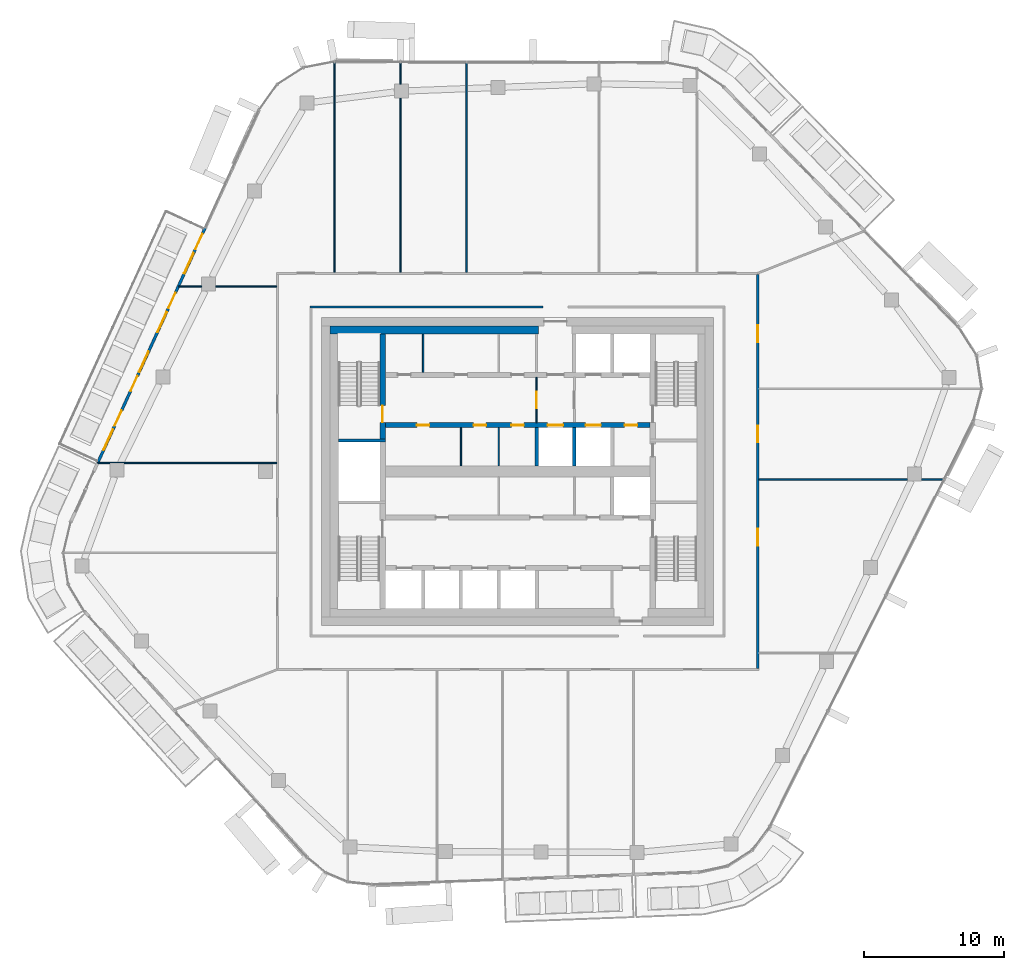
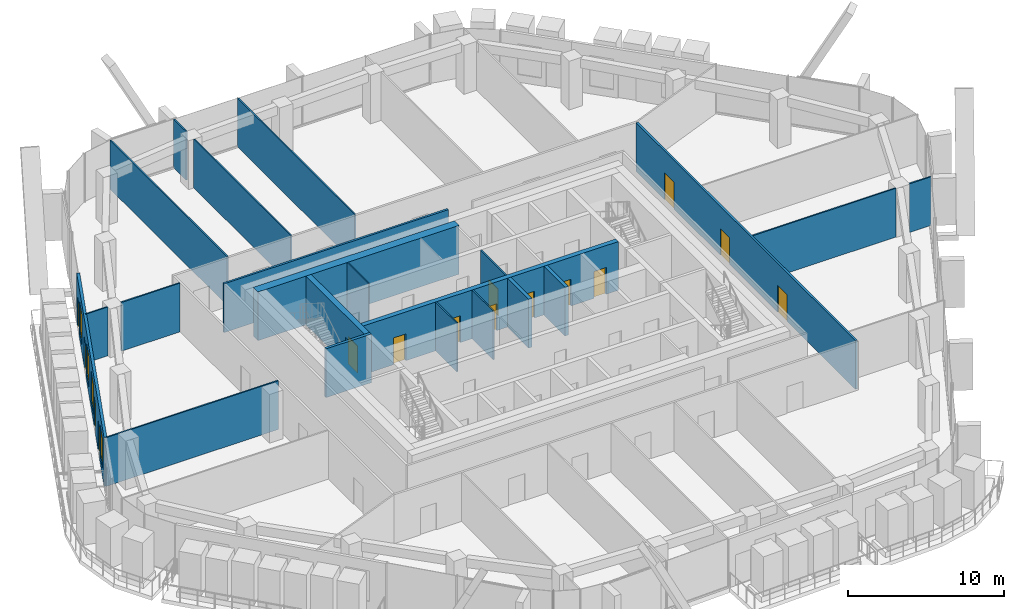
# One storey, part 15 of 24: 22 walls, 15 doors, 4 windows, 19 openings.
"""IFC4 building model written with IfcOpenShell, lengths in metres."""

from ifc_helpers import new_model, si_unit, direction, frame, frame_2d, origin, place, context, subcontext, project, spatial, rectangle, extrude, material, layer, layer_set, type_object, element, fill, save


model = new_model("IFC4")

# Units and contexts
model_context = context("Model", 3, precision=1e-05, world=origin(), true_north=direction((0.0, 1.0)))
body_context = subcontext(model_context, "Body", "Model", "MODEL_VIEW")
ifc_project = project(units=[si_unit("LENGTHUNIT", "METRE"), si_unit("AREAUNIT", "SQUARE_METRE"), si_unit("VOLUMEUNIT", "CUBIC_METRE"), si_unit("PLANEANGLEUNIT", "RADIAN"), si_unit("MASSUNIT", "GRAM", prefix="KILO")], contexts=[model_context])

# Site, building, storey
site_placement = place(None, origin())
site = spatial("IfcSite", under=ifc_project, at=site_placement, CompositionType="ELEMENT")
building_placement = place(site_placement, origin())
building = spatial("IfcBuilding", under=site, at=building_placement, Name="Dongbaek Canopy Tower", CompositionType="ELEMENT")
storey_placement = place(building_placement, frame((0.0, 0.0, 311.0)))
storey = spatial("IfcBuildingStorey", under=building, at=storey_placement, Name="L66", CompositionType="ELEMENT", Elevation=311.0)

# Wall, openings, doors
ifc_material_1 = material(Name="Concrete C60/75", Category="concrete")
ifc_layer_1 = layer(ifc_material_1, 0.35009765625)
ifc_layer_set_1 = layer_set([ifc_layer_1], Name="Core lobby wall 350 Concrete C60/75")
wall_type_1 = type_object("IfcWallType", Name="Core lobby wall 350 Concrete C60/75", PredefinedType="SHEAR", material=ifc_layer_set_1)
wall_1_placement = place(storey_placement, frame((9.449951171875, 3.300048828125, 0.0), z_axis=(0.0, 0.0, 1.0), x_axis=(-1.0, 0.0, 0.0)))
wall_1 = element("IfcWall", 1, at=wall_1_placement, inside=storey, type_object=wall_type_1, Name="Core wall", PredefinedType="SHEAR", context=body_context, shape_type="SweptSolid", body=[
    extrude(rectangle(XDim=18.89990234375, YDim=0.35009765625, at=frame_2d((9.449951171875, 0.0))), origin(), (0.0, 0.0, 1.0), 3.820068359375),
])
opening_1_placement = place(wall_1_placement, frame((6.199951171875, 0.0, 0.0)))
opening_1 = element("IfcOpeningElement", 2, at=opening_1_placement, cuts=wall_1, Name="Opening L66-D024", PredefinedType="OPENING", context=body_context, shape_type="SweptSolid", body=[
    extrude(rectangle(XDim=1.10009765625, YDim=2.10009765625, at=frame_2d((0.550048828125, 1.050048828125))), frame((0.0, 0.18505859375, 0.0), z_axis=(0.0, -1.0, 0.0), x_axis=(1.0, 0.0, 0.0)), (0.0, 0.0, 1.0), 0.3701171875),
])
opening_2_placement = place(wall_1_placement, frame((3.5, 0.0, 0.0)))
opening_2 = element("IfcOpeningElement", 3, at=opening_2_placement, cuts=wall_1, Name="Opening L66-D025", PredefinedType="OPENING", context=body_context, shape_type="SweptSolid", body=[
    extrude(rectangle(XDim=1.10009765625, YDim=2.10009765625, at=frame_2d((0.550048828125, 1.050048828125))), frame((0.0, 0.18505859375, 0.0), z_axis=(0.0, -1.0, 0.0), x_axis=(1.0, 0.0, 0.0)), (0.0, 0.0, 1.0), 0.3701171875),
])
opening_3_placement = place(wall_1_placement, frame((0.89990234375, 0.0, 0.0)))
opening_3 = element("IfcOpeningElement", 4, at=opening_3_placement, cuts=wall_1, Name="Opening L66-D026", PredefinedType="OPENING", context=body_context, shape_type="SweptSolid", body=[
    extrude(rectangle(XDim=0.89990234375, YDim=2.10009765625, at=frame_2d((0.449951171875, 1.050048828125))), frame((0.0, 0.18505859375, 0.0), z_axis=(0.0, -1.0, 0.0), x_axis=(1.0, 0.0, 0.0)), (0.0, 0.0, 1.0), 0.3701171875),
])
opening_4_placement = place(wall_1_placement, frame((15.75, 0.0, 0.0)))
opening_4 = element("IfcOpeningElement", 5, at=opening_4_placement, cuts=wall_1, Name="Opening L66-D037", PredefinedType="OPENING", context=body_context, shape_type="SweptSolid", body=[
    extrude(rectangle(XDim=0.89990234375, YDim=2.10009765625, at=frame_2d((0.449951171875, 1.050048828125))), frame((0.0, 0.18505859375, 0.0), z_axis=(0.0, -1.0, 0.0), x_axis=(1.0, 0.0, 0.0)), (0.0, 0.0, 1.0), 0.3701171875),
])
opening_5_placement = place(wall_1_placement, frame((11.699951171875, 0.0, 0.0)))
opening_5 = element("IfcOpeningElement", 6, at=opening_5_placement, cuts=wall_1, Name="Opening L66-D038", PredefinedType="OPENING", context=body_context, shape_type="SweptSolid", body=[
    extrude(rectangle(XDim=0.89990234375, YDim=2.10009765625, at=frame_2d((0.449951171875, 1.050048828125))), frame((0.0, 0.18505859375, 0.0), z_axis=(0.0, -1.0, 0.0), x_axis=(1.0, 0.0, 0.0)), (0.0, 0.0, 1.0), 0.3701171875),
])
opening_6_placement = place(wall_1_placement, frame((9.0, 0.0, 0.0)))
opening_6 = element("IfcOpeningElement", 7, at=opening_6_placement, cuts=wall_1, Name="Opening L66-D039", PredefinedType="OPENING", context=body_context, shape_type="SweptSolid", body=[
    extrude(rectangle(XDim=0.89990234375, YDim=2.10009765625, at=frame_2d((0.449951171875, 1.050048828125))), frame((0.0, 0.18505859375, 0.0), z_axis=(0.0, -1.0, 0.0), x_axis=(1.0, 0.0, 0.0)), (0.0, 0.0, 1.0), 0.3701171875),
])
ifc_material_2 = material(Name="Steel", Category="steel")
door_type_1 = type_object("IfcDoorType", Name="Core room door 900 x 2100", OperationType="SINGLE_SWING_LEFT", PredefinedType="DOOR", material=ifc_material_2)
door_1_placement = place(opening_3_placement, origin())
door_1 = element("IfcDoor", 8, at=door_1_placement, inside=storey, type_object=door_type_1, Name="Door L66-D026", OperationType="SINGLE_SWING_LEFT", OverallHeight=2.10009765625, OverallWidth=0.89990234375, PredefinedType="DOOR", context=body_context, shape_type="SweptSolid", body=[
    extrude(rectangle(XDim=0.89990234375, YDim=2.10009765625, at=frame_2d((0.449951171875, 1.050048828125))), frame((0.0, 0.02490234375, 0.0), z_axis=(0.0, -1.0, 0.0), x_axis=(1.0, 0.0, 0.0)), (0.0, 0.0, 1.0), 0.050048828125),
])
fill(opening_3, door_1)
door_2_placement = place(opening_4_placement, origin())
door_2 = element("IfcDoor", 9, at=door_2_placement, inside=storey, type_object=door_type_1, Name="Door L66-D037", OperationType="SINGLE_SWING_LEFT", OverallHeight=2.10009765625, OverallWidth=0.89990234375, PredefinedType="DOOR", context=body_context, shape_type="SweptSolid", body=[
    extrude(rectangle(XDim=0.89990234375, YDim=2.10009765625, at=frame_2d((0.449951171875, 1.050048828125))), frame((0.0, 0.02490234375, 0.0), z_axis=(0.0, -1.0, 0.0), x_axis=(1.0, 0.0, 0.0)), (0.0, 0.0, 1.0), 0.050048828125),
])
fill(opening_4, door_2)
door_3_placement = place(opening_5_placement, origin())
door_3 = element("IfcDoor", 10, at=door_3_placement, inside=storey, type_object=door_type_1, Name="Door L66-D038", OperationType="SINGLE_SWING_RIGHT", OverallHeight=2.10009765625, OverallWidth=0.89990234375, PredefinedType="DOOR", context=body_context, shape_type="SweptSolid", body=[
    extrude(rectangle(XDim=0.89990234375, YDim=2.10009765625, at=frame_2d((0.449951171875, 1.050048828125))), frame((0.0, 0.02490234375, 0.0), z_axis=(0.0, -1.0, 0.0), x_axis=(1.0, 0.0, 0.0)), (0.0, 0.0, 1.0), 0.050048828125),
])
fill(opening_5, door_3)
door_4_placement = place(opening_6_placement, origin())
door_4 = element("IfcDoor", 11, at=door_4_placement, inside=storey, type_object=door_type_1, Name="Door L66-D039", OperationType="SINGLE_SWING_LEFT", OverallHeight=2.10009765625, OverallWidth=0.89990234375, PredefinedType="DOOR", context=body_context, shape_type="SweptSolid", body=[
    extrude(rectangle(XDim=0.89990234375, YDim=2.10009765625, at=frame_2d((0.449951171875, 1.050048828125))), frame((0.0, 0.02490234375, 0.0), z_axis=(0.0, -1.0, 0.0), x_axis=(1.0, 0.0, 0.0)), (0.0, 0.0, 1.0), 0.050048828125),
])
fill(opening_6, door_4)
ifc_material_3 = material(Name="Stainless steel", Category="steel")
door_type_2 = type_object("IfcDoorType", Name="Lift landing door 1100 x 2100", OperationType="DOUBLE_DOOR_SLIDING", PredefinedType="DOOR", material=ifc_material_3)
door_5_placement = place(opening_1_placement, origin())
door_5 = element("IfcDoor", 12, at=door_5_placement, inside=storey, type_object=door_type_2, Name="Landing door SV1", OperationType="DOUBLE_DOOR_SLIDING", OverallHeight=2.10009765625, OverallWidth=1.10009765625, PredefinedType="DOOR", context=body_context, shape_type="SweptSolid", body=[
    extrude(rectangle(XDim=1.10009765625, YDim=2.10009765625, at=frame_2d((0.550048828125, 1.050048828125))), frame((0.0, 0.02490234375, 0.0), z_axis=(0.0, -1.0, 0.0), x_axis=(1.0, 0.0, 0.0)), (0.0, 0.0, 1.0), 0.050048828125),
])
fill(opening_1, door_5)
door_6_placement = place(opening_2_placement, origin())
door_6 = element("IfcDoor", 13, at=door_6_placement, inside=storey, type_object=door_type_2, Name="Landing door FF3", OperationType="DOUBLE_DOOR_SLIDING", OverallHeight=2.10009765625, OverallWidth=1.10009765625, PredefinedType="DOOR", context=body_context, shape_type="SweptSolid", body=[
    extrude(rectangle(XDim=1.10009765625, YDim=2.10009765625, at=frame_2d((0.550048828125, 1.050048828125))), frame((0.0, 0.02490234375, 0.0), z_axis=(0.0, -1.0, 0.0), x_axis=(1.0, 0.0, 0.0)), (0.0, 0.0, 1.0), 0.050048828125),
])
fill(opening_2, door_6)

# Walls
ifc_material_4 = material(Name="Concrete C60/75", Category="concrete")
ifc_layer_2 = layer(ifc_material_4, 0.60009765625)
ifc_layer_set_2 = layer_set([ifc_layer_2], Name="Core wall lining 600 Concrete C60/75")
wall_type_2 = type_object("IfcWallType", Name="Core wall lining 600 Concrete C60/75", PredefinedType="SHEAR", material=ifc_layer_set_2)
wall_2_placement = place(storey_placement, frame((-13.39990234375, 10.10009765625, 0.0), z_axis=(0.0, 0.0, 1.0), x_axis=(1.0, 0.0, 0.0)))
element("IfcWall", 14, at=wall_2_placement, inside=storey, type_object=wall_type_2, Name="Core wall lining", PredefinedType="SHEAR", context=body_context, shape_type="SweptSolid", body=[
    extrude(rectangle(XDim=14.89990234375, YDim=0.60009765625, at=frame_2d((7.449951171875, 0.0))), origin(), (0.0, 0.0, 1.0), 3.820068359375),
])
ifc_material_5 = material(Name="Gypsum board partition, steel stud, 2 x 15 mm fire board", Category="steel")
ifc_layer_3 = layer(ifc_material_5, 0.14990234375)
ifc_layer_set_3 = layer_set([ifc_layer_3], Name="Fire-rated partition 150 gypsum board")
wall_type_3 = type_object("IfcWallType", Name="Fire-rated partition 150 gypsum board", PredefinedType="PARTITIONING", material=ifc_layer_set_3)
wall_3_placement = place(storey_placement, frame((-14.824951171875, 11.75, 0.0), z_axis=(0.0, 0.0, 1.0), x_axis=(1.0, 0.0, 0.0)))
element("IfcWall", 15, at=wall_3_placement, inside=storey, type_object=wall_type_3, Name="Corridor partition", PredefinedType="PARTITIONING", context=body_context, shape_type="SweptSolid", body=[
    extrude(rectangle(XDim=16.625, YDim=0.14990234375, at=frame_2d((8.3125, 0.0))), origin(), (0.0, 0.0, 1.0), 3.820068359375),
])

# Wall, openings, doors
wall_4_placement = place(storey_placement, frame((17.14990234375, 14.074951171875, 0.0), z_axis=(0.0, 0.0, 1.0), x_axis=(0.0, -1.0, 0.0)))
wall_4 = element("IfcWall", 16, at=wall_4_placement, inside=storey, type_object=wall_type_3, Name="Corridor partition", PredefinedType="PARTITIONING", context=body_context, shape_type="SweptSolid", body=[
    extrude(rectangle(XDim=28.14990234375, YDim=0.14990234375, at=frame_2d((14.074951171875, 0.0))), origin(), (0.0, 0.0, 1.0), 3.820068359375),
])
opening_7_placement = place(wall_4_placement, frame((18.18212890625, 0.0, 0.0)))
opening_7 = element("IfcOpeningElement", 17, at=opening_7_placement, cuts=wall_4, Name="Opening L66-D009", PredefinedType="OPENING", context=body_context, shape_type="SweptSolid", body=[
    extrude(rectangle(XDim=1.199951171875, YDim=2.10009765625, at=frame_2d((0.60009765625, 1.050048828125))), frame((0.0, 0.0849609375, 0.0), z_axis=(0.0, -1.0, 0.0), x_axis=(1.0, 0.0, 0.0)), (0.0, 0.0, 1.0), 0.169921875),
])
opening_8_placement = place(wall_4_placement, frame((10.811279296875, 0.0, 0.0)))
opening_8 = element("IfcOpeningElement", 18, at=opening_8_placement, cuts=wall_4, Name="Opening L66-D010", PredefinedType="OPENING", context=body_context, shape_type="SweptSolid", body=[
    extrude(rectangle(XDim=1.199951171875, YDim=2.10009765625, at=frame_2d((0.60009765625, 1.050048828125))), frame((0.0, 0.0849609375, 0.0), z_axis=(0.0, -1.0, 0.0), x_axis=(1.0, 0.0, 0.0)), (0.0, 0.0, 1.0), 0.169921875),
])
opening_9_placement = place(wall_4_placement, frame((3.64697265625, 0.0, 0.0)))
opening_9 = element("IfcOpeningElement", 19, at=opening_9_placement, cuts=wall_4, Name="Opening L66-D011", PredefinedType="OPENING", context=body_context, shape_type="SweptSolid", body=[
    extrude(rectangle(XDim=1.199951171875, YDim=2.10009765625, at=frame_2d((0.60009765625, 1.050048828125))), frame((0.0, 0.0849609375, 0.0), z_axis=(0.0, -1.0, 0.0), x_axis=(1.0, 0.0, 0.0)), (0.0, 0.0, 1.0), 0.169921875),
])
ifc_material_6 = material(Name="Timber veneered door leaf", Category="wood")
door_type_3 = type_object("IfcDoorType", Name="Room door 1200 x 2100", OperationType="SINGLE_SWING_LEFT", PredefinedType="DOOR", material=ifc_material_6)
door_7_placement = place(opening_7_placement, origin())
door_7 = element("IfcDoor", 20, at=door_7_placement, inside=storey, type_object=door_type_3, Name="Door L66-D009", OperationType="SINGLE_SWING_RIGHT", OverallHeight=2.10009765625, OverallWidth=1.199951171875, PredefinedType="DOOR", context=body_context, shape_type="SweptSolid", body=[
    extrude(rectangle(XDim=1.199951171875, YDim=2.10009765625, at=frame_2d((0.60009765625, 1.050048828125))), frame((0.0, 0.02490234375, 0.0), z_axis=(0.0, -1.0, 0.0), x_axis=(1.0, 0.0, 0.0)), (0.0, 0.0, 1.0), 0.050048828125),
])
fill(opening_7, door_7)
door_8_placement = place(opening_8_placement, origin())
door_8 = element("IfcDoor", 21, at=door_8_placement, inside=storey, type_object=door_type_3, Name="Door L66-D010", OperationType="SINGLE_SWING_LEFT", OverallHeight=2.10009765625, OverallWidth=1.199951171875, PredefinedType="DOOR", context=body_context, shape_type="SweptSolid", body=[
    extrude(rectangle(XDim=1.199951171875, YDim=2.10009765625, at=frame_2d((0.60009765625, 1.050048828125))), frame((0.0, 0.02490234375, 0.0), z_axis=(0.0, -1.0, 0.0), x_axis=(1.0, 0.0, 0.0)), (0.0, 0.0, 1.0), 0.050048828125),
])
fill(opening_8, door_8)
door_9_placement = place(opening_9_placement, origin())
door_9 = element("IfcDoor", 22, at=door_9_placement, inside=storey, type_object=door_type_3, Name="Door L66-D011", OperationType="SINGLE_SWING_RIGHT", OverallHeight=2.10009765625, OverallWidth=1.199951171875, PredefinedType="DOOR", context=body_context, shape_type="SweptSolid", body=[
    extrude(rectangle(XDim=1.199951171875, YDim=2.10009765625, at=frame_2d((0.60009765625, 1.050048828125))), frame((0.0, 0.02490234375, 0.0), z_axis=(0.0, -1.0, 0.0), x_axis=(1.0, 0.0, 0.0)), (0.0, 0.0, 1.0), 0.050048828125),
])
fill(opening_9, door_9)

# Walls
ifc_material_7 = material(Name="Concrete C40/50", Category="concrete")
ifc_layer_4 = layer(ifc_material_7, 0.25)
ifc_layer_set_4 = layer_set([ifc_layer_4], Name="Lift shaft wall 250 Concrete C40/50")
wall_type_4 = type_object("IfcWallType", Name="Lift shaft wall 250 Concrete C40/50", PredefinedType="SOLIDWALL", material=ifc_layer_set_4)
for number, where, z_axis, x_axis, name in (
    (23, (4.050048828125, 0.39990234375, 0.0), (0.0, 0.0, 1.0), (0.0, 1.0, 0.0), "Lift shaft wall"),
    (24, (1.35009765625, 0.39990234375, 0.0), (0.0, 0.0, 1.0), (0.0, 1.0, 0.0), "Lift shaft wall"),
):
    element("IfcWall", number, at=place(storey_placement, frame(where, z_axis=z_axis, x_axis=x_axis)), inside=storey, type_object=wall_type_4, Name=name, PredefinedType="SOLIDWALL", context=body_context, shape_type="SweptSolid", body=[
        extrude(rectangle(XDim=2.72509765625, YDim=0.25, at=frame_2d((1.362548828125, 0.0))), origin(), (0.0, 0.0, 1.0), 3.820068359375),
    ])
ifc_material_8 = material(Name="Gypsum board partition, steel stud, 2 x 12.5 mm board", Category="steel")
ifc_layer_5 = layer(ifc_material_8, 0.10009765625)
ifc_layer_set_5 = layer_set([ifc_layer_5], Name="Partition 100 gypsum board")
wall_type_5 = type_object("IfcWallType", Name="Partition 100 gypsum board", PredefinedType="PARTITIONING", material=ifc_layer_set_5)
wall_5_placement = place(storey_placement, frame((17.22509765625, -0.572998046875, 0.0), z_axis=(0.0, 0.0, 1.0), x_axis=(1.0, 0.0, 0.0)))
element("IfcWall", 25, at=wall_5_placement, inside=storey, type_object=wall_type_5, Name="Partition", PredefinedType="PARTITIONING", context=body_context, shape_type="SweptSolid", body=[
    extrude(rectangle(XDim=10.6259765625, YDim=0.10009765625, at=frame_2d((5.31298828125, 0.0))), origin(), (0.0, 0.0, 1.0), 3.820068359375),
])
wall_6_placement = place(storey_placement, frame((28.85107421875, -0.572998046875, 0.0), z_axis=(0.0, 0.0, 1.0), x_axis=(1.0, 0.0, 0.0)))
element("IfcWall", 26, at=wall_6_placement, inside=storey, type_object=wall_type_5, Name="Partition", PredefinedType="PARTITIONING", context=body_context, shape_type="SweptSolid", body=[
    extrude(rectangle(XDim=1.585693359375, YDim=0.10009765625, at=frame_2d((0.79296875, 0.0))), origin(), (0.0, 0.0, 1.0), 3.820068359375),
])
wall_7_placement = place(storey_placement, frame((-29.9814453125, 0.60107421875, 0.0), z_axis=(0.0, 0.0, 1.0), x_axis=(1.0, 0.0, 0.0)))
element("IfcWall", 27, at=wall_7_placement, inside=storey, type_object=wall_type_5, Name="Partition", PredefinedType="PARTITIONING", context=body_context, shape_type="SweptSolid", body=[
    extrude(rectangle(XDim=12.75634765625, YDim=0.10009765625, at=frame_2d((6.378173828125, 0.0))), origin(), (0.0, 0.0, 1.0), 3.820068359375),
])
wall_8_placement = place(storey_placement, frame((-24.2177734375, 13.2109375, 0.0), z_axis=(0.0, 0.0, 1.0), x_axis=(1.0, 0.0, 0.0)))
element("IfcWall", 28, at=wall_8_placement, inside=storey, type_object=wall_type_5, Name="Partition", PredefinedType="PARTITIONING", context=body_context, shape_type="SweptSolid", body=[
    extrude(rectangle(XDim=1.641845703125, YDim=0.10009765625, at=frame_2d((0.82080078125, 0.0))), origin(), (0.0, 0.0, 1.0), 3.820068359375),
])
wall_9_placement = place(storey_placement, frame((-21.575927734375, 13.2109375, 0.0), z_axis=(0.0, 0.0, 1.0), x_axis=(1.0, 0.0, 0.0)))
element("IfcWall", 29, at=wall_9_placement, inside=storey, type_object=wall_type_5, Name="Partition", PredefinedType="PARTITIONING", context=body_context, shape_type="SweptSolid", body=[
    extrude(rectangle(XDim=4.350830078125, YDim=0.10009765625, at=frame_2d((2.17529296875, 0.0))), origin(), (0.0, 0.0, 1.0), 3.820068359375),
])
wall_10_placement = place(storey_placement, frame((-3.64501953125, 14.22509765625, 0.0), z_axis=(0.0, 0.0, 1.0), x_axis=(0.0, 1.0, 0.0)))
element("IfcWall", 30, at=wall_10_placement, inside=storey, type_object=wall_type_5, Name="Partition", PredefinedType="PARTITIONING", context=body_context, shape_type="SweptSolid", body=[
    extrude(rectangle(XDim=15.00244140625, YDim=0.10009765625, at=frame_2d((7.501220703125, 0.0))), origin(), (0.0, 0.0, 1.0), 3.820068359375),
])
wall_11_placement = place(storey_placement, frame((-8.37109375, 14.22509765625, 0.0), z_axis=(0.0, 0.0, 1.0), x_axis=(0.0, 1.0, 0.0)))
element("IfcWall", 31, at=wall_11_placement, inside=storey, type_object=wall_type_5, Name="Partition", PredefinedType="PARTITIONING", context=body_context, shape_type="SweptSolid", body=[
    extrude(rectangle(XDim=12.43896484375, YDim=0.10009765625, at=frame_2d((6.219482421875, 0.0))), origin(), (0.0, 0.0, 1.0), 3.820068359375),
])
wall_12_placement = place(storey_placement, frame((-8.37109375, 27.6640625, 0.0), z_axis=(0.0, 0.0, 1.0), x_axis=(0.0, 1.0, 0.0)))
element("IfcWall", 32, at=wall_12_placement, inside=storey, type_object=wall_type_5, Name="Partition", PredefinedType="PARTITIONING", context=body_context, shape_type="SweptSolid", body=[
    extrude(rectangle(XDim=1.57373046875, YDim=0.10009765625, at=frame_2d((0.786865234375, 0.0))), origin(), (0.0, 0.0, 1.0), 3.820068359375),
])
wall_13_placement = place(storey_placement, frame((-13.0869140625, 14.22509765625, 0.0), z_axis=(0.0, 0.0, 1.0), x_axis=(0.0, 1.0, 0.0)))
element("IfcWall", 33, at=wall_13_placement, inside=storey, type_object=wall_type_5, Name="Partition", PredefinedType="PARTITIONING", context=body_context, shape_type="SweptSolid", body=[
    extrude(rectangle(XDim=15.022705078125, YDim=0.10009765625, at=frame_2d((7.51123046875, 0.0))), origin(), (0.0, 0.0, 1.0), 3.820068359375),
])

# Wall, opening, door
wall_14_placement = place(storey_placement, frame((1.35009765625, 6.72509765625, 0.0), z_axis=(0.0, 0.0, 1.0), x_axis=(0.0, -1.0, 0.0)))
wall_14 = element("IfcWall", 34, at=wall_14_placement, inside=storey, type_object=wall_type_5, Name="Core partition", PredefinedType="PARTITIONING", context=body_context, shape_type="SweptSolid", body=[
    extrude(rectangle(XDim=3.25, YDim=0.10009765625, at=frame_2d((1.625, 0.0))), origin(), (0.0, 0.0, 1.0), 3.820068359375),
])
opening_10_placement = place(wall_14_placement, frame((1.02490234375, 0.0, 0.0)))
opening_10 = element("IfcOpeningElement", 35, at=opening_10_placement, cuts=wall_14, Name="Opening L66-D048", PredefinedType="OPENING", context=body_context, shape_type="SweptSolid", body=[
    extrude(rectangle(XDim=1.199951171875, YDim=2.10009765625, at=frame_2d((0.60009765625, 1.050048828125))), frame((0.0, 0.06005859375, 0.0), z_axis=(0.0, -1.0, 0.0), x_axis=(1.0, 0.0, 0.0)), (0.0, 0.0, 1.0), 0.1201171875),
])
ifc_material_9 = material(Name="Steel", Category="steel")
door_type_4 = type_object("IfcDoorType", Name="Fire lobby door 1200 x 2100", OperationType="SINGLE_SWING_LEFT", PredefinedType="DOOR", material=ifc_material_9)
door_10_placement = place(opening_10_placement, origin())
door_10 = element("IfcDoor", 36, at=door_10_placement, inside=storey, type_object=door_type_4, Name="Door L66-D048", OperationType="SINGLE_SWING_LEFT", OverallHeight=2.10009765625, OverallWidth=1.199951171875, PredefinedType="DOOR", context=body_context, shape_type="SweptSolid", body=[
    extrude(rectangle(XDim=1.199951171875, YDim=2.10009765625, at=frame_2d((0.60009765625, 1.050048828125))), frame((0.0, 0.02490234375, 0.0), z_axis=(0.0, -1.0, 0.0), x_axis=(1.0, 0.0, 0.0)), (0.0, 0.0, 1.0), 0.050048828125),
])
fill(opening_10, door_10)

# Walls
for number, where, z_axis, x_axis, name in (
    (37, (-1.35009765625, 0.39990234375, 0.0), (0.0, 0.0, 1.0), (0.0, 1.0, 0.0), "Core partition"),
    (38, (-4.050048828125, 0.39990234375, 0.0), (0.0, 0.0, 1.0), (0.0, 1.0, 0.0), "Core partition"),
    (39, (-6.75, 7.074951171875, 0.0), (0.0, 0.0, 1.0), (0.0, 1.0, 0.0), "Core partition"),
):
    element("IfcWall", number, at=place(storey_placement, frame(where, z_axis=z_axis, x_axis=x_axis)), inside=storey, type_object=wall_type_5, Name=name, PredefinedType="PARTITIONING", context=body_context, shape_type="SweptSolid", body=[
        extrude(rectangle(XDim=2.72509765625, YDim=0.10009765625, at=frame_2d((1.362548828125, 0.0))), origin(), (0.0, 0.0, 1.0), 3.820068359375),
    ])
ifc_material_10 = material(Name="Concrete C60/75", Category="concrete")
ifc_layer_6 = layer(ifc_material_10, 0.199951171875)
ifc_layer_set_6 = layer_set([ifc_layer_6], Name="Riser wall 200 Concrete C60/75")
wall_type_6 = type_object("IfcWallType", Name="Riser wall 200 Concrete C60/75", PredefinedType="SHEAR", material=ifc_layer_set_6)
wall_15_placement = place(storey_placement, frame((-9.449951171875, 2.199951171875, 0.0), z_axis=(0.0, 0.0, 1.0), x_axis=(-1.0, 0.0, 0.0)))
element("IfcWall", 40, at=wall_15_placement, inside=storey, type_object=wall_type_6, Name="Riser wall", PredefinedType="SHEAR", context=body_context, shape_type="SweptSolid", body=[
    extrude(rectangle(XDim=3.35009765625, YDim=0.199951171875, at=frame_2d((1.675048828125, 0.0))), origin(), (0.0, 0.0, 1.0), 3.820068359375),
])

# Wall, opening, door
ifc_material_11 = material(Name="Concrete C60/75", Category="concrete")
ifc_layer_7 = layer(ifc_material_11, 0.39990234375)
ifc_layer_set_7 = layer_set([ifc_layer_7], Name="Stair wall 400 Concrete C60/75")
wall_type_7 = type_object("IfcWallType", Name="Stair wall 400 Concrete C60/75", PredefinedType="SHEAR", material=ifc_layer_set_7)
wall_16_placement = place(storey_placement, frame((-9.64990234375, 2.300048828125, 0.0), z_axis=(0.0, 0.0, 1.0), x_axis=(0.0, 1.0, 0.0)))
wall_16 = element("IfcWall", 41, at=wall_16_placement, inside=storey, type_object=wall_type_7, Name="Stair wall", PredefinedType="SHEAR", context=body_context, shape_type="SweptSolid", body=[
    extrude(rectangle(XDim=7.5, YDim=0.39990234375, at=frame_2d((3.75, 0.0))), origin(), (0.0, 0.0, 1.0), 3.820068359375),
])
opening_11_placement = place(wall_16_placement, frame((1.199951171875, 0.0, 0.0)))
opening_11 = element("IfcOpeningElement", 42, at=opening_11_placement, cuts=wall_16, Name="Opening L66-D045", PredefinedType="OPENING", context=body_context, shape_type="SweptSolid", body=[
    extrude(rectangle(XDim=1.199951171875, YDim=2.10009765625, at=frame_2d((0.60009765625, 1.050048828125))), frame((0.0, 0.2099609375, 0.0), z_axis=(0.0, -1.0, 0.0), x_axis=(1.0, 0.0, 0.0)), (0.0, 0.0, 1.0), 0.419921875),
])
ifc_material_12 = material(Name="Steel", Category="steel")
door_type_5 = type_object("IfcDoorType", Name="Stair door 1200 x 2100", OperationType="SINGLE_SWING_LEFT", PredefinedType="DOOR", material=ifc_material_12)
door_11_placement = place(opening_11_placement, origin())
door_11 = element("IfcDoor", 43, at=door_11_placement, inside=storey, type_object=door_type_5, Name="Stair C door", OperationType="SINGLE_SWING_RIGHT", OverallHeight=2.10009765625, OverallWidth=1.199951171875, PredefinedType="DOOR", context=body_context, shape_type="SweptSolid", body=[
    extrude(rectangle(XDim=1.199951171875, YDim=2.10009765625, at=frame_2d((0.60009765625, 1.050048828125))), frame((0.0, 0.02490234375, 0.0), z_axis=(0.0, -1.0, 0.0), x_axis=(1.0, 0.0, 0.0)), (0.0, 0.0, 1.0), 0.050048828125),
])
fill(opening_11, door_11)

# Wall, openings, doors, windows
ifc_material_13 = material(Name="Aluminium window wall", Category="aluminium")
ifc_layer_8 = layer(ifc_material_13, 0.199951171875)
ifc_layer_set_8 = layer_set([ifc_layer_8], Name="Window wall 200")
wall_type_8 = type_object("IfcWallType", Name="Window wall 200", PredefinedType="SOLIDWALL", material=ifc_layer_set_8)
wall_17_placement = place(storey_placement, frame((-22.318359375, 17.4140625, 0.0), z_axis=(0.0, 0.0, 1.0), x_axis=(-0.415710447513, -0.909497016943, 0.0)))
wall_17 = element("IfcWall", 44, at=wall_17_placement, inside=storey, type_object=wall_type_8, Name="Window wall L66 2", PredefinedType="SOLIDWALL", context=body_context, shape_type="SweptSolid", body=[
    extrude(rectangle(XDim=18.486572265625, YDim=0.199951171875, at=frame_2d((9.2431640625, 0.0))), origin(), (0.0, 0.0, 1.0), 3.820068359375),
])
opening_12_placement = place(wall_17_placement, frame((2.0, 0.0, 0.60009765625)))
opening_12 = element("IfcOpeningElement", 45, at=opening_12_placement, cuts=wall_17, Name="Opening W1", PredefinedType="OPENING", context=body_context, shape_type="SweptSolid", body=[
    extrude(rectangle(XDim=1.60009765625, YDim=2.39990234375, at=frame_2d((0.800048828125, 1.199951171875))), frame((0.0, 0.10986328125, 0.0), z_axis=(0.0, -1.0, 0.0), x_axis=(1.0, 0.0, 0.0)), (0.0, 0.0, 1.0), 0.219970703125),
])
opening_13_placement = place(wall_17_placement, frame((0.5, 0.0, 0.0)))
opening_13 = element("IfcOpeningElement", 46, at=opening_13_placement, cuts=wall_17, Name="Opening L66-B04", PredefinedType="OPENING", context=body_context, shape_type="SweptSolid", body=[
    extrude(rectangle(XDim=1.199951171875, YDim=2.39990234375, at=frame_2d((0.60009765625, 1.199951171875))), frame((0.0, 0.10986328125, 0.0), z_axis=(0.0, -1.0, 0.0), x_axis=(1.0, 0.0, 0.0)), (0.0, 0.0, 1.0), 0.219970703125),
])
opening_14_placement = place(wall_17_placement, frame((6.62158203125, 0.0, 0.60009765625)))
opening_14 = element("IfcOpeningElement", 47, at=opening_14_placement, cuts=wall_17, Name="Opening W1", PredefinedType="OPENING", context=body_context, shape_type="SweptSolid", body=[
    extrude(rectangle(XDim=1.60009765625, YDim=2.39990234375, at=frame_2d((0.800048828125, 1.199951171875))), frame((0.0, 0.10986328125, 0.0), z_axis=(0.0, -1.0, 0.0), x_axis=(1.0, 0.0, 0.0)), (0.0, 0.0, 1.0), 0.219970703125),
])
opening_15_placement = place(wall_17_placement, frame((5.12158203125, 0.0, 0.0)))
opening_15 = element("IfcOpeningElement", 48, at=opening_15_placement, cuts=wall_17, Name="Opening L66-B05", PredefinedType="OPENING", context=body_context, shape_type="SweptSolid", body=[
    extrude(rectangle(XDim=1.199951171875, YDim=2.39990234375, at=frame_2d((0.60009765625, 1.199951171875))), frame((0.0, 0.10986328125, 0.0), z_axis=(0.0, -1.0, 0.0), x_axis=(1.0, 0.0, 0.0)), (0.0, 0.0, 1.0), 0.219970703125),
])
opening_16_placement = place(wall_17_placement, frame((9.7431640625, 0.0, 0.60009765625)))
opening_16 = element("IfcOpeningElement", 49, at=opening_16_placement, cuts=wall_17, Name="Opening W1", PredefinedType="OPENING", context=body_context, shape_type="SweptSolid", body=[
    extrude(rectangle(XDim=1.60009765625, YDim=2.39990234375, at=frame_2d((0.800048828125, 1.199951171875))), frame((0.0, 0.10986328125, 0.0), z_axis=(0.0, -1.0, 0.0), x_axis=(1.0, 0.0, 0.0)), (0.0, 0.0, 1.0), 0.219970703125),
])
opening_17_placement = place(wall_17_placement, frame((11.643310546875, 0.0, 0.0)))
opening_17 = element("IfcOpeningElement", 50, at=opening_17_placement, cuts=wall_17, Name="Opening L66-B06", PredefinedType="OPENING", context=body_context, shape_type="SweptSolid", body=[
    extrude(rectangle(XDim=1.199951171875, YDim=2.39990234375, at=frame_2d((0.60009765625, 1.199951171875))), frame((0.0, 0.10986328125, 0.0), z_axis=(0.0, -1.0, 0.0), x_axis=(1.0, 0.0, 0.0)), (0.0, 0.0, 1.0), 0.219970703125),
])
opening_18_placement = place(wall_17_placement, frame((15.864990234375, 0.0, 0.60009765625)))
opening_18 = element("IfcOpeningElement", 51, at=opening_18_placement, cuts=wall_17, Name="Opening W1", PredefinedType="OPENING", context=body_context, shape_type="SweptSolid", body=[
    extrude(rectangle(XDim=1.60009765625, YDim=2.39990234375, at=frame_2d((0.800048828125, 1.199951171875))), frame((0.0, 0.10986328125, 0.0), z_axis=(0.0, -1.0, 0.0), x_axis=(1.0, 0.0, 0.0)), (0.0, 0.0, 1.0), 0.219970703125),
])
opening_19_placement = place(wall_17_placement, frame((14.364990234375, 0.0, 0.0)))
opening_19 = element("IfcOpeningElement", 52, at=opening_19_placement, cuts=wall_17, Name="Opening L66-B07", PredefinedType="OPENING", context=body_context, shape_type="SweptSolid", body=[
    extrude(rectangle(XDim=1.199951171875, YDim=2.39990234375, at=frame_2d((0.60009765625, 1.199951171875))), frame((0.0, 0.10986328125, 0.0), z_axis=(0.0, -1.0, 0.0), x_axis=(1.0, 0.0, 0.0)), (0.0, 0.0, 1.0), 0.219970703125),
])
ifc_material_14 = material(Name="Clear glazing in aluminium frame", Category="aluminium")
door_type_6 = type_object("IfcDoorType", Name="Balcony door BD1 1200 x 2400", OperationType="SLIDING_TO_LEFT", PredefinedType="DOOR", material=ifc_material_14)
door_12_placement = place(opening_13_placement, origin())
door_12 = element("IfcDoor", 53, at=door_12_placement, inside=storey, type_object=door_type_6, Name="Balcony door L66-B04", OperationType="SLIDING_TO_LEFT", OverallHeight=2.39990234375, OverallWidth=1.199951171875, PredefinedType="DOOR", context=body_context, shape_type="SweptSolid", body=[
    extrude(rectangle(XDim=1.199951171875, YDim=2.39990234375, at=frame_2d((0.60009765625, 1.199951171875))), frame((0.0, 0.02490234375, 0.0), z_axis=(0.0, -1.0, 0.0), x_axis=(1.0, 0.0, 0.0)), (0.0, 0.0, 1.0), 0.050048828125),
])
fill(opening_13, door_12)
door_13_placement = place(opening_15_placement, origin())
door_13 = element("IfcDoor", 54, at=door_13_placement, inside=storey, type_object=door_type_6, Name="Balcony door L66-B05", OperationType="SLIDING_TO_LEFT", OverallHeight=2.39990234375, OverallWidth=1.199951171875, PredefinedType="DOOR", context=body_context, shape_type="SweptSolid", body=[
    extrude(rectangle(XDim=1.199951171875, YDim=2.39990234375, at=frame_2d((0.60009765625, 1.199951171875))), frame((0.0, 0.02490234375, 0.0), z_axis=(0.0, -1.0, 0.0), x_axis=(1.0, 0.0, 0.0)), (0.0, 0.0, 1.0), 0.050048828125),
])
fill(opening_15, door_13)
door_14_placement = place(opening_17_placement, origin())
door_14 = element("IfcDoor", 55, at=door_14_placement, inside=storey, type_object=door_type_6, Name="Balcony door L66-B06", OperationType="SLIDING_TO_LEFT", OverallHeight=2.39990234375, OverallWidth=1.199951171875, PredefinedType="DOOR", context=body_context, shape_type="SweptSolid", body=[
    extrude(rectangle(XDim=1.199951171875, YDim=2.39990234375, at=frame_2d((0.60009765625, 1.199951171875))), frame((0.0, 0.02490234375, 0.0), z_axis=(0.0, -1.0, 0.0), x_axis=(1.0, 0.0, 0.0)), (0.0, 0.0, 1.0), 0.050048828125),
])
fill(opening_17, door_14)
door_15_placement = place(opening_19_placement, origin())
door_15 = element("IfcDoor", 56, at=door_15_placement, inside=storey, type_object=door_type_6, Name="Balcony door L66-B07", OperationType="SLIDING_TO_LEFT", OverallHeight=2.39990234375, OverallWidth=1.199951171875, PredefinedType="DOOR", context=body_context, shape_type="SweptSolid", body=[
    extrude(rectangle(XDim=1.199951171875, YDim=2.39990234375, at=frame_2d((0.60009765625, 1.199951171875))), frame((0.0, 0.02490234375, 0.0), z_axis=(0.0, -1.0, 0.0), x_axis=(1.0, 0.0, 0.0)), (0.0, 0.0, 1.0), 0.050048828125),
])
fill(opening_19, door_15)
ifc_material_15 = material(Name="Clear glazing in aluminium frame", Category="aluminium")
window_type = type_object("IfcWindowType", Name="Window W1 1600 x 2400", PartitioningType="SINGLE_PANEL", PredefinedType="WINDOW", material=ifc_material_15)
window_1_placement = place(opening_12_placement, origin())
window_1 = element("IfcWindow", 57, at=window_1_placement, inside=storey, type_object=window_type, Name="Window L66 2.1", OverallHeight=2.39990234375, OverallWidth=1.60009765625, PartitioningType="SINGLE_PANEL", PredefinedType="WINDOW", context=body_context, shape_type="SweptSolid", body=[
    extrude(rectangle(XDim=1.60009765625, YDim=2.39990234375, at=frame_2d((0.800048828125, 1.199951171875))), frame((0.0, 0.030029296875, 0.0), z_axis=(0.0, -1.0, 0.0), x_axis=(1.0, 0.0, 0.0)), (0.0, 0.0, 1.0), 0.06005859375),
])
fill(opening_12, window_1)
window_2_placement = place(opening_14_placement, origin())
window_2 = element("IfcWindow", 58, at=window_2_placement, inside=storey, type_object=window_type, Name="Window L66 2.2", OverallHeight=2.39990234375, OverallWidth=1.60009765625, PartitioningType="SINGLE_PANEL", PredefinedType="WINDOW", context=body_context, shape_type="SweptSolid", body=[
    extrude(rectangle(XDim=1.60009765625, YDim=2.39990234375, at=frame_2d((0.800048828125, 1.199951171875))), frame((0.0, 0.030029296875, 0.0), z_axis=(0.0, -1.0, 0.0), x_axis=(1.0, 0.0, 0.0)), (0.0, 0.0, 1.0), 0.06005859375),
])
fill(opening_14, window_2)
window_3_placement = place(opening_16_placement, origin())
window_3 = element("IfcWindow", 59, at=window_3_placement, inside=storey, type_object=window_type, Name="Window L66 2.3", OverallHeight=2.39990234375, OverallWidth=1.60009765625, PartitioningType="SINGLE_PANEL", PredefinedType="WINDOW", context=body_context, shape_type="SweptSolid", body=[
    extrude(rectangle(XDim=1.60009765625, YDim=2.39990234375, at=frame_2d((0.800048828125, 1.199951171875))), frame((0.0, 0.030029296875, 0.0), z_axis=(0.0, -1.0, 0.0), x_axis=(1.0, 0.0, 0.0)), (0.0, 0.0, 1.0), 0.06005859375),
])
fill(opening_16, window_3)
window_4_placement = place(opening_18_placement, origin())
window_4 = element("IfcWindow", 60, at=window_4_placement, inside=storey, type_object=window_type, Name="Window L66 2.4", OverallHeight=2.39990234375, OverallWidth=1.60009765625, PartitioningType="SINGLE_PANEL", PredefinedType="WINDOW", context=body_context, shape_type="SweptSolid", body=[
    extrude(rectangle(XDim=1.60009765625, YDim=2.39990234375, at=frame_2d((0.800048828125, 1.199951171875))), frame((0.0, 0.030029296875, 0.0), z_axis=(0.0, -1.0, 0.0), x_axis=(1.0, 0.0, 0.0)), (0.0, 0.0, 1.0), 0.06005859375),
])
fill(opening_18, window_4)

save(model, "model.ifc")
